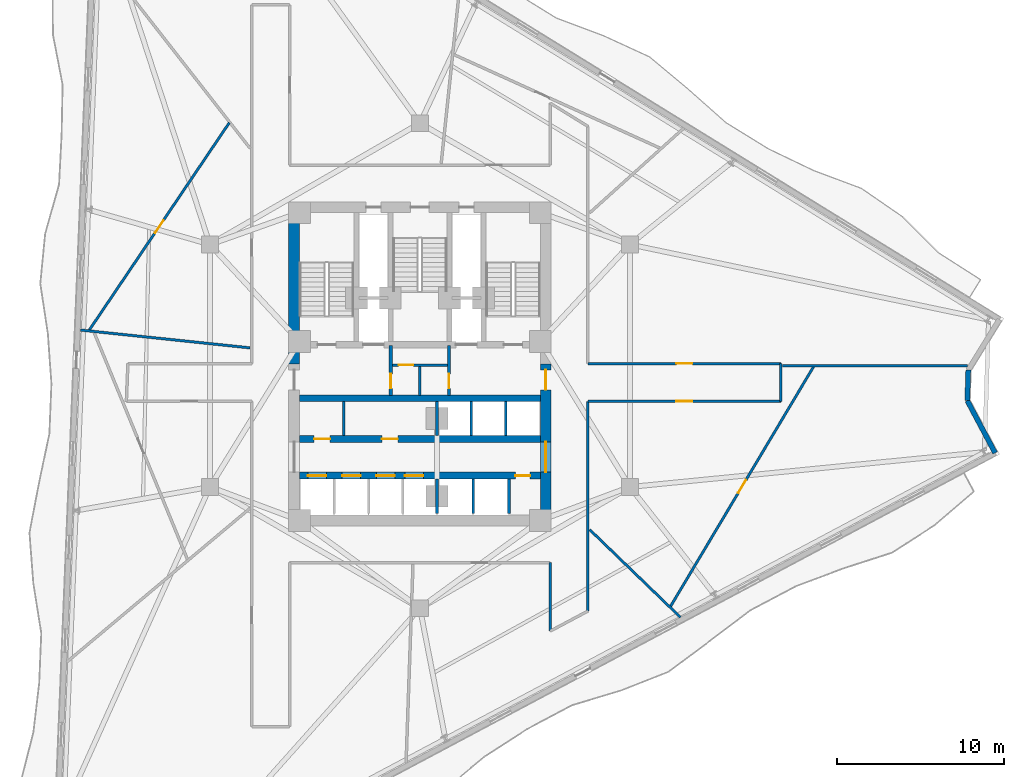
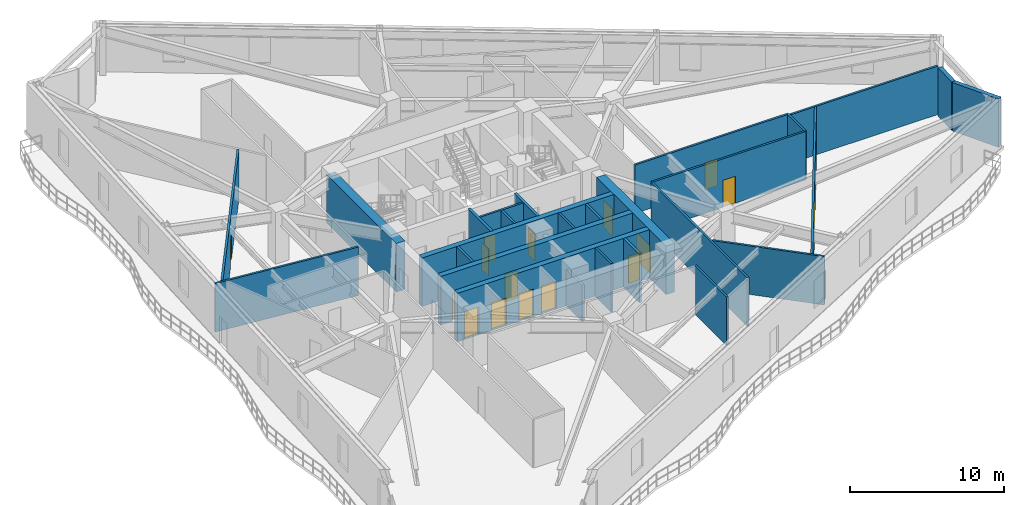
# One storey, part 6 of 12: 28 walls, 16 doors, 16 openings.
"""IFC4 building model written with IfcOpenShell, lengths in metres."""

import ifcopenshell
import ifcopenshell.guid

model = None  # the IFC model being written
_history = None  # IfcOwnerHistory: only IFC2X3 demands one
_inside = {}  # id of a spatial element -> (the spatial element, [elements in it])
_under = {}  # id of a project, library or spatial element -> (it, [spatial elements below it])
_declared = {}  # id of a project -> (the project, [libraries it declares])
_typed = {}  # id of a type object -> (the type object, [elements of that type])
_made_of = {}  # id of a material, layer set ... -> (it, [elements and type objects made of it])


def new_model(schema):
    """Start an empty IFC model of exactly this schema.

    Asked for "IFC4X3", IfcOpenShell would pick the latest addendum, in which some entities
    have other attributes; the version numbers below select the first issue.
    IFC2X3 requires an IfcOwnerHistory on every rooted entity: one is made here for all.
    """
    global model, _history
    if schema == "IFC4X3":
        model = ifcopenshell.file(schema_version=(4, 3, 0, 0))
    else:
        model = ifcopenshell.file(schema=schema)
    _inside.clear()
    _under.clear()
    _declared.clear()
    _typed.clear()
    _made_of.clear()
    _history = None
    if model.schema == "IFC2X3":
        org = make("IfcOrganization", Name="unknown")
        user = make(
            "IfcPersonAndOrganization",
            ThePerson=make("IfcPerson", FamilyName="unknown"),
            TheOrganization=org,
        )
        app = make(
            "IfcApplication",
            ApplicationDeveloper=org,
            Version="unknown",
            ApplicationFullName="unknown",
            ApplicationIdentifier="unknown",
        )
        _history = make(
            "IfcOwnerHistory",
            OwningUser=user,
            OwningApplication=app,
            ChangeAction="ADDED",
            CreationDate=0,
        )
    return model


def make(cls, **values):
    """One entity of the class cls with the attributes given. An attribute that is None is left unset."""
    return model.create_entity(
        cls, **{name: value for name, value in values.items() if value is not None}
    )


def rooted(cls, **values):
    """An entity with a GlobalId (a new one), such as an element, a storey or a relation."""
    return make(cls, GlobalId=ifcopenshell.guid.new(), OwnerHistory=_history, **values)


def si_unit(unit_type, name, prefix=None):
    """IfcSIUnit, for example si_unit("LENGTHUNIT", "METRE", prefix="MILLI")."""
    return make("IfcSIUnit", UnitType=unit_type, Prefix=prefix, Name=name)


def assignment(units):
    """IfcUnitAssignment: the units of a project."""
    return None if units is None else make("IfcUnitAssignment", Units=units)


def point(xyz):
    """IfcCartesianPoint."""
    return None if xyz is None else make("IfcCartesianPoint", Coordinates=xyz)


def direction(xyz):
    """IfcDirection."""
    return None if xyz is None else make("IfcDirection", DirectionRatios=xyz)


def frame(location, z_axis=None, x_axis=None):
    """IfcAxis2Placement3D, a coordinate frame: its origin and axes. An axis left out is left unset."""
    return make(
        "IfcAxis2Placement3D",
        Location=point(location),
        Axis=direction(z_axis),
        RefDirection=direction(x_axis),
    )


def frame_2d(location, x_axis=None):
    """IfcAxis2Placement2D, a coordinate frame in the plane: its origin and x axis."""
    return make(
        "IfcAxis2Placement2D", Location=point(location), RefDirection=direction(x_axis)
    )


def origin():
    """The frame at (0, 0, 0) with its axes left unset."""
    return frame((0.0, 0.0, 0.0))


def place(relative_to, where):
    """IfcLocalPlacement: puts the frame where relative to a parent placement (None: the world)."""
    return make(
        "IfcLocalPlacement", PlacementRelTo=relative_to, RelativePlacement=where
    )


def context(
    kind, dimensions, precision=None, world=None, true_north=None, identifier=None
):
    """IfcGeometricRepresentationContext, for example the 3D "Model" context."""
    return make(
        "IfcGeometricRepresentationContext",
        ContextIdentifier=identifier,
        ContextType=kind,
        CoordinateSpaceDimension=dimensions,
        Precision=precision,
        WorldCoordinateSystem=world,
        TrueNorth=true_north,
    )


def subcontext(parent, identifier, kind, view, scale=None):
    """IfcGeometricRepresentationSubContext, for example "Body" below "Model"."""
    return make(
        "IfcGeometricRepresentationSubContext",
        ContextIdentifier=identifier,
        ContextType=kind,
        ParentContext=parent,
        TargetScale=scale,
        TargetView=view,
    )


def project(units=None, contexts=None):
    """IfcProject with its units and contexts."""
    return rooted(
        "IfcProject",
        Name="project",
        RepresentationContexts=contexts,
        UnitsInContext=assignment(units),
    )


def spatial(cls, under=None, at=None, **own):
    """A site, building, storey or space (cls), placed at a placement, below another one or the project."""
    s = rooted(cls, ObjectPlacement=at, **own)
    if under is not None:
        _under.setdefault(under.id(), (under, []))[1].append(s)
    return s


def profile(cls, at=None, kind="AREA", **sizes):
    """A parametric profile (cls). Its sizes go by their IFC names, for example OverallWidth=200.0."""
    return make(cls, ProfileType=kind, Position=at, **sizes)


def rectangle(**sizes):
    """IfcRectangleProfileDef."""
    return profile("IfcRectangleProfileDef", **sizes)


def extrude(swept, where, along, depth):
    """IfcExtrudedAreaSolid: the profile swept, set in the frame where, extruded along a direction by depth."""
    return make(
        "IfcExtrudedAreaSolid",
        SweptArea=swept,
        Position=where,
        ExtrudedDirection=direction(along),
        Depth=depth,
    )


def shape(context_of_items, identifier, shape_type, items):
    """IfcShapeRepresentation: the items that make up one representation, for example the "Body"."""
    return make(
        "IfcShapeRepresentation",
        ContextOfItems=context_of_items,
        RepresentationIdentifier=identifier,
        RepresentationType=shape_type,
        Items=items,
    )


def material(Name=None, Category=None):
    """IfcMaterial."""
    return make("IfcMaterial", Name=Name, Category=Category)


def layer(
    of_material, thickness, ventilated=None, Name=None, Category=None, Priority=None
):
    """IfcMaterialLayer: one layer of a wall or slab, of a material (None: an air gap)."""
    return make(
        "IfcMaterialLayer",
        Material=of_material,
        LayerThickness=thickness,
        IsVentilated=ventilated,
        Name=Name,
        Category=Category,
        Priority=Priority,
    )


def layer_set(layers, Name=None):
    """IfcMaterialLayerSet."""
    return make("IfcMaterialLayerSet", MaterialLayers=layers, LayerSetName=Name)


def made_of(thing, what):
    """Note that an element or type object is made of a material, layer set ...; save() writes the relation."""
    if what is not None:
        _made_of.setdefault(what.id(), (what, []))[1].append(thing)
    return thing


def type_object(cls, material=None, **own):
    """A type object (cls), such as IfcWallType, which elements share."""
    return made_of(rooted(cls, **own), material)


def element(
    cls,
    number,
    at=None,
    inside=None,
    cuts=None,
    type_object=None,
    material=None,
    context=None,
    identifier="Body",
    shape_type=None,
    held_by="IfcProductDefinitionShape",
    body=None,
    shapes=None,
    **own,
):
    """One element of the class cls, such as IfcWall. Its Tag is "e" and its number.

    at: its placement. inside: the storey or other place that contains it. cuts: it is an
    opening in that element (IfcRelVoidsElement). A single representation is given by context,
    identifier, shape_type and body (its items); several are given by shapes. held_by: the class
    of the entity that holds the representations. save() writes the other relations.
    """
    e = rooted(cls, Tag="e%d" % number, ObjectPlacement=at, **own)
    if body is not None:
        shapes = [shape(context, identifier, shape_type, body)]
    if shapes is not None:
        e.Representation = make(held_by, Representations=shapes)
    if inside is not None:
        _inside.setdefault(inside.id(), (inside, []))[1].append(e)
    if cuts is not None:
        rooted(
            "IfcRelVoidsElement", RelatingBuildingElement=cuts, RelatedOpeningElement=e
        )
    if type_object is not None:
        _typed.setdefault(type_object.id(), (type_object, []))[1].append(e)
    return made_of(e, material)


def fill(opening, filler):
    """IfcRelFillsElement: the door or window that sits in an opening."""
    return rooted(
        "IfcRelFillsElement",
        RelatingOpeningElement=opening,
        RelatedBuildingElement=filler,
    )


def aggregate(whole, parts):
    """IfcRelAggregates: a whole, such as a stair, and the parts it consists of."""
    return rooted("IfcRelAggregates", RelatingObject=whole, RelatedObjects=parts)


def save(model, path):
    """Write the relations noted so far, then the file.

    IfcRelAggregates (storeys below a building ...), IfcRelContainedInSpatialStructure (elements
    in a storey), IfcRelDefinesByType, IfcRelAssociatesMaterial and IfcRelDeclares: one each for
    every whole, place, type object, material and project.
    """
    for whole, parts in _under.values():
        aggregate(whole, parts)
    for where, things in _inside.values():
        rooted(
            "IfcRelContainedInSpatialStructure",
            RelatedElements=things,
            RelatingStructure=where,
        )
    for kind, things in _typed.values():
        rooted("IfcRelDefinesByType", RelatedObjects=things, RelatingType=kind)
    for what, things in _made_of.values():
        rooted("IfcRelAssociatesMaterial", RelatedObjects=things, RelatingMaterial=what)
    for by, libraries in _declared.values():
        rooted("IfcRelDeclares", RelatingContext=by, RelatedDefinitions=libraries)
    model.write(path)


model = new_model("IFC4")

# Units and contexts
model_context = context("Model", 3, precision=1e-05, world=origin(), true_north=direction((0.0, 1.0)))
body_context = subcontext(model_context, "Body", "Model", "MODEL_VIEW")
ifc_project = project(units=[si_unit("LENGTHUNIT", "METRE"), si_unit("AREAUNIT", "SQUARE_METRE"), si_unit("VOLUMEUNIT", "CUBIC_METRE"), si_unit("PLANEANGLEUNIT", "RADIAN"), si_unit("MASSUNIT", "GRAM", prefix="KILO")], contexts=[model_context])

# Site, building, storey
site_placement = place(None, origin())
site = spatial("IfcSite", under=ifc_project, at=site_placement, CompositionType="ELEMENT")
building_placement = place(site_placement, origin())
building = spatial("IfcBuilding", under=site, at=building_placement, Name="Apsidion Concourse Tower", CompositionType="ELEMENT")
storey_placement = place(building_placement, frame((0.0, 0.0, 173.699951171875)))
storey = spatial("IfcBuildingStorey", under=building, at=storey_placement, Name="L40", CompositionType="ELEMENT", Elevation=173.699951171875)

# Walls
ifc_material_1 = material(Name="Precast concrete C40/50", Category="concrete")
ifc_layer_1 = layer(ifc_material_1, 0.300048828125)
ifc_layer_set_1 = layer_set([ifc_layer_1], Name="Precast concrete C40/50")
wall_type_1 = type_object("IfcWallType", Name="WL-EXT-300", PredefinedType="STANDARD", material=ifc_layer_set_1)
wall_1_placement = place(storey_placement, frame((32.794189453125, -0.25244140625, 0.0), z_axis=(0.0, 0.0, 1.0), x_axis=(-0.031873247483, -0.999491918974, 0.0)))
element("IfcWall", 1, at=wall_1_placement, inside=storey, type_object=wall_type_1, Name="L40 Precast Stone Facade Wall 03", PredefinedType="STANDARD", context=body_context, shape_type="SweptSolid", body=[
    extrude(rectangle(XDim=1.83837890625, YDim=0.300048828125, at=frame_2d((0.919189453125, 0.0))), origin(), (0.0, 0.0, 1.0), 3.85009765625),
])
wall_2_placement = place(storey_placement, frame((32.735595703125, -2.08984375, 0.0), z_axis=(0.0, 0.0, 1.0), x_axis=(0.469464339615, -0.882951433449, 0.0)))
element("IfcWall", 2, at=wall_2_placement, inside=storey, type_object=wall_type_1, Name="L40 Precast Stone Facade Wall 04", PredefinedType="STANDARD", context=body_context, shape_type="SweptSolid", body=[
    extrude(rectangle(XDim=3.54150390625, YDim=0.300048828125, at=frame_2d((1.770751953125, 0.0))), origin(), (0.0, 0.0, 1.0), 3.85009765625),
])
ifc_material_2 = material(Name="Gypsum plasterboard partition")
ifc_layer_2 = layer(ifc_material_2, 0.14990234375)
ifc_layer_set_2 = layer_set([ifc_layer_2], Name="Gypsum plasterboard partition")
wall_type_2 = type_object("IfcWallType", Name="WL-INT-PAR-150", PredefinedType="PARTITIONING", material=ifc_layer_set_2)
for number, where, z_axis, x_axis, name in (
    (3, (-4.550048828125, -4.179931640625, 0.0), (0.0, 0.0, 1.0), (0.0, 1.0, 0.0), "L40 Interior Partition WL-L40-B1RV1"),
    (4, (3.074951171875, -4.179931640625, 0.0), (0.0, 0.0, 1.0), (0.0, 1.0, 0.0), "L40 Interior Partition WL-L40-B3DIV-1"),
    (5, (5.125, -4.179931640625, 0.0), (0.0, 0.0, 1.0), (0.0, 1.0, 0.0), "L40 Interior Partition WL-L40-B3DIV-2"),
):
    element("IfcWall", number, at=place(storey_placement, frame(where, z_axis=z_axis, x_axis=x_axis)), inside=storey, type_object=wall_type_2, Name=name, PredefinedType="PARTITIONING", context=body_context, shape_type="SweptSolid", body=[
        extrude(rectangle(XDim=2.030029296875, YDim=0.14990234375, at=frame_2d((1.01513671875, 0.0))), origin(), (0.0, 0.0, 1.0), 3.85009765625),
    ])
wall_3_placement = place(storey_placement, frame((3.175048828125, -8.85009765625, 0.0), z_axis=(0.0, 0.0, 1.0), x_axis=(0.0, 1.0, 0.0)))
element("IfcWall", 6, at=wall_3_placement, inside=storey, type_object=wall_type_2, Name="L40 Interior Partition WL-L40-SHDIV-1", PredefinedType="PARTITIONING", context=body_context, shape_type="SweptSolid", body=[
    extrude(rectangle(XDim=2.080078125, YDim=0.14990234375, at=frame_2d((1.0400390625, 0.0))), origin(), (0.0, 0.0, 1.0), 3.85009765625),
])

# Wall, opening, door
wall_4_placement = place(storey_placement, frame((-1.639892578125, 0.0400390625, 0.0), z_axis=(0.0, 0.0, 1.0), x_axis=(1.0, 0.0, 0.0)))
wall_4 = element("IfcWall", 7, at=wall_4_placement, inside=storey, type_object=wall_type_2, Name="L40 Interior Partition WL-L40-K4H", PredefinedType="PARTITIONING", context=body_context, shape_type="SweptSolid", body=[
    extrude(rectangle(XDim=3.27978515625, YDim=0.14990234375, at=frame_2d((1.639892578125, 0.0))), origin(), (0.0, 0.0, 1.0), 3.85009765625),
])
opening_1_placement = place(wall_4_placement, frame((0.360107421875, 0.0, 0.0)))
opening_1 = element("IfcOpeningElement", 8, at=opening_1_placement, cuts=wall_4, Name="Opening D-03L", PredefinedType="OPENING", context=body_context, shape_type="SweptSolid", body=[
    extrude(rectangle(XDim=0.8798828125, YDim=2.10009765625, at=frame_2d((0.43994140625, 1.050048828125))), frame((0.0, 0.0849609375, 0.0), z_axis=(0.0, -1.0, 0.0), x_axis=(1.0, 0.0, 0.0)), (0.0, 0.0, 1.0), 0.169921875),
])
ifc_material_3 = material(Name="Anodised aluminium EN AW-6063 T6", Category="aluminium")
door_type_1 = type_object("IfcDoorType", Name="DR-INT-D03L", OperationType="SINGLE_SWING_LEFT", PredefinedType="DOOR", material=ifc_material_3)
door_1_placement = place(opening_1_placement, origin())
door_1 = element("IfcDoor", 9, at=door_1_placement, inside=storey, type_object=door_type_1, Name="L40 Core Telecoms Door", OperationType="SINGLE_SWING_LEFT", OverallHeight=2.10009765625, OverallWidth=0.8798828125, PredefinedType="DOOR", context=body_context, shape_type="SweptSolid", body=[
    extrude(rectangle(XDim=0.8798828125, YDim=2.10009765625, at=frame_2d((0.43994140625, 1.050048828125))), frame((0.0, 0.02490234375, 0.0), z_axis=(0.0, -1.0, 0.0), x_axis=(1.0, 0.0, 0.0)), (0.0, 0.0, 1.0), 0.050048828125),
])
fill(opening_1, door_1)

# Walls
wall_5_placement = place(storey_placement, frame((0.0, -1.780029296875, 0.0), z_axis=(0.0, 0.0, 1.0), x_axis=(0.0, 1.0, 0.0)))
element("IfcWall", 10, at=wall_5_placement, inside=storey, type_object=wall_type_2, Name="L40 Interior Partition WL-L40-K4V", PredefinedType="PARTITIONING", context=body_context, shape_type="SweptSolid", body=[
    extrude(rectangle(XDim=1.72998046875, YDim=0.14990234375, at=frame_2d((0.864990234375, 0.0))), origin(), (0.0, 0.0, 1.0), 3.85009765625),
])
wall_6_placement = place(storey_placement, frame((7.7900390625, -15.87060546875, 0.0), z_axis=(0.0, 0.0, 1.0), x_axis=(0.0, 1.0, 0.0)))
element("IfcWall", 11, at=wall_6_placement, inside=storey, type_object=wall_type_2, Name="L40 Interior Partition WL-L40-CORR-02", PredefinedType="PARTITIONING", context=body_context, shape_type="SweptSolid", body=[
    extrude(rectangle(XDim=4.095703125, YDim=0.14990234375, at=frame_2d((2.0478515625, 0.0))), origin(), (0.0, 0.0, 1.0), 3.85009765625),
])

# Wall, opening, door
wall_7_placement = place(storey_placement, frame((10.050048828125, 0.1298828125, 0.0), z_axis=(0.0, 0.0, 1.0), x_axis=(1.0, 0.0, 0.0)))
wall_7 = element("IfcWall", 12, at=wall_7_placement, inside=storey, type_object=wall_type_2, Name="L40 Interior Partition WL-L40-CORR-17", PredefinedType="PARTITIONING", context=body_context, shape_type="SweptSolid", body=[
    extrude(rectangle(XDim=11.530029296875, YDim=0.14990234375, at=frame_2d((5.76513671875, 0.0))), origin(), (0.0, 0.0, 1.0), 3.85009765625),
])
opening_2_placement = place(wall_7_placement, frame((5.2900390625, 0.0, 0.0)))
opening_2 = element("IfcOpeningElement", 13, at=opening_2_placement, cuts=wall_7, Name="Opening D-01L", PredefinedType="OPENING", context=body_context, shape_type="SweptSolid", body=[
    extrude(rectangle(XDim=0.949951171875, YDim=2.14990234375, at=frame_2d((0.47509765625, 1.074951171875))), frame((0.0, 0.0849609375, 0.0), z_axis=(0.0, -1.0, 0.0), x_axis=(1.0, 0.0, 0.0)), (0.0, 0.0, 1.0), 0.169921875),
])
ifc_material_4 = material(Name="Brushed stainless steel 316", Category="steel")
door_type_2 = type_object("IfcDoorType", Name="DR-INT-D01L", OperationType="SINGLE_SWING_LEFT", PredefinedType="DOOR", material=ifc_material_4)
door_2_placement = place(opening_2_placement, origin())
door_2 = element("IfcDoor", 14, at=door_2_placement, inside=storey, type_object=door_type_2, Name="L40 Corridor Entry Door 05", OperationType="SINGLE_SWING_LEFT", OverallHeight=2.14990234375, OverallWidth=0.949951171875, PredefinedType="DOOR", context=body_context, shape_type="SweptSolid", body=[
    extrude(rectangle(XDim=0.949951171875, YDim=2.14990234375, at=frame_2d((0.47509765625, 1.074951171875))), frame((0.0, 0.02490234375, 0.0), z_axis=(0.0, -1.0, 0.0), x_axis=(1.0, 0.0, 0.0)), (0.0, 0.0, 1.0), 0.050048828125),
])
fill(opening_2, door_2)

# Wall
wall_8_placement = place(storey_placement, frame((21.580078125, 0.1298828125, 0.0), z_axis=(0.0, 0.0, 1.0), x_axis=(0.0, -1.0, 0.0)))
element("IfcWall", 15, at=wall_8_placement, inside=storey, type_object=wall_type_2, Name="L40 Interior Partition WL-L40-CORR-18", PredefinedType="PARTITIONING", context=body_context, shape_type="SweptSolid", body=[
    extrude(rectangle(XDim=2.259765625, YDim=0.14990234375, at=frame_2d((1.1298828125, 0.0))), origin(), (0.0, 0.0, 1.0), 3.85009765625),
])

# Wall, opening, door
wall_9_placement = place(storey_placement, frame((21.580078125, -2.1298828125, 0.0), z_axis=(0.0, 0.0, 1.0), x_axis=(-1.0, 0.0, 0.0)))
wall_9 = element("IfcWall", 16, at=wall_9_placement, inside=storey, type_object=wall_type_2, Name="L40 Interior Partition WL-L40-CORR-19", PredefinedType="PARTITIONING", context=body_context, shape_type="SweptSolid", body=[
    extrude(rectangle(XDim=11.530029296875, YDim=0.14990234375, at=frame_2d((5.76513671875, 0.0))), origin(), (0.0, 0.0, 1.0), 3.85009765625),
])
opening_3_placement = place(wall_9_placement, frame((5.2900390625, 0.0, 0.0)))
opening_3 = element("IfcOpeningElement", 17, at=opening_3_placement, cuts=wall_9, Name="Opening D-01R", PredefinedType="OPENING", context=body_context, shape_type="SweptSolid", body=[
    extrude(rectangle(XDim=0.949951171875, YDim=2.14990234375, at=frame_2d((0.47509765625, 1.074951171875))), frame((0.0, 0.0849609375, 0.0), z_axis=(0.0, -1.0, 0.0), x_axis=(1.0, 0.0, 0.0)), (0.0, 0.0, 1.0), 0.169921875),
])
door_type_3 = type_object("IfcDoorType", Name="DR-INT-D01R", OperationType="SINGLE_SWING_RIGHT", PredefinedType="DOOR", material=ifc_material_4)
door_3_placement = place(opening_3_placement, origin())
door_3 = element("IfcDoor", 18, at=door_3_placement, inside=storey, type_object=door_type_3, Name="L40 Corridor Entry Door 04", OperationType="SINGLE_SWING_RIGHT", OverallHeight=2.14990234375, OverallWidth=0.949951171875, PredefinedType="DOOR", context=body_context, shape_type="SweptSolid", body=[
    extrude(rectangle(XDim=0.949951171875, YDim=2.14990234375, at=frame_2d((0.47509765625, 1.074951171875))), frame((0.0, 0.02490234375, 0.0), z_axis=(0.0, -1.0, 0.0), x_axis=(1.0, 0.0, 0.0)), (0.0, 0.0, 1.0), 0.050048828125),
])
fill(opening_3, door_3)

# Walls
wall_10_placement = place(storey_placement, frame((10.050048828125, -2.1298828125, 0.0), z_axis=(0.0, 0.0, 1.0), x_axis=(0.0, -1.0, 0.0)))
element("IfcWall", 19, at=wall_10_placement, inside=storey, type_object=wall_type_2, Name="L40 Interior Partition WL-L40-CORR-20", PredefinedType="PARTITIONING", context=body_context, shape_type="SweptSolid", body=[
    extrude(rectangle(XDim=12.5390625, YDim=0.14990234375, at=frame_2d((6.26953125, 0.0))), origin(), (0.0, 0.0, 1.0), 3.85009765625),
])
wall_11_placement = place(storey_placement, frame((21.68505859375, 0.0, 0.0), z_axis=(0.0, 0.0, 1.0), x_axis=(1.0, 0.0, 0.0)))
element("IfcWall", 20, at=wall_11_placement, inside=storey, type_object=wall_type_2, Name="L40 Interior Partition WL-L40-RAD-01-1", PredefinedType="PARTITIONING", context=body_context, shape_type="SweptSolid", body=[
    extrude(rectangle(XDim=11.071044921875, YDim=0.14990234375, at=frame_2d((5.53564453125, 0.0))), origin(), (0.0, 0.0, 1.0), 3.85009765625),
])
wall_12_placement = place(storey_placement, frame((-10.155029296875, 1.0673828125, 0.0), z_axis=(0.0, 0.0, 1.0), x_axis=(-0.994523134685, 0.104516671288, 0.0)))
element("IfcWall", 21, at=wall_12_placement, inside=storey, type_object=wall_type_2, Name="L40 Interior Partition WL-L40-RAD-05-1", PredefinedType="PARTITIONING", context=body_context, shape_type="SweptSolid", body=[
    extrude(rectangle(XDim=10.20556640625, YDim=0.14990234375, at=frame_2d((5.102783203125, 0.0))), origin(), (0.0, 0.0, 1.0), 3.85009765625),
])
wall_13_placement = place(storey_placement, frame((10.155029296875, -9.806640625, 0.0), z_axis=(0.0, 0.0, 1.0), x_axis=(0.719347844344, -0.694650040551, 0.0)))
element("IfcWall", 22, at=wall_13_placement, inside=storey, type_object=wall_type_2, Name="L40 Interior Partition WL-L40-RAD-08-1", PredefinedType="PARTITIONING", context=body_context, shape_type="SweptSolid", body=[
    extrude(rectangle(XDim=7.532470703125, YDim=0.14990234375, at=frame_2d((3.76611328125, 0.0))), origin(), (0.0, 0.0, 1.0), 3.85009765625),
])

# Wall, opening, door
wall_14_placement = place(storey_placement, frame((14.968994140625, -14.420654296875, 0.0), z_axis=(0.0, 0.0, 1.0), x_axis=(0.512416804852, 0.858736873614, 0.0)))
wall_14 = element("IfcWall", 23, at=wall_14_placement, inside=storey, type_object=wall_type_2, Name="L40 Interior Partition WL-L40-CHD-OFS03", PredefinedType="PARTITIONING", context=body_context, shape_type="SweptSolid", body=[
    extrude(rectangle(XDim=16.763916015625, YDim=0.14990234375, at=frame_2d((8.3818359375, 0.0))), origin(), (0.0, 0.0, 1.0), 3.85009765625),
])
opening_4_placement = place(wall_14_placement, frame((7.931884765625, 0.0, 0.0)))
opening_4 = element("IfcOpeningElement", 24, at=opening_4_placement, cuts=wall_14, Name="Opening D-02R", PredefinedType="OPENING", context=body_context, shape_type="SweptSolid", body=[
    extrude(rectangle(XDim=0.89990234375, YDim=2.10009765625, at=frame_2d((0.449951171875, 1.050048828125))), frame((0.0, 0.0849609375, 0.0), z_axis=(0.0, -1.0, 0.0), x_axis=(1.0, 0.0, 0.0)), (0.0, 0.0, 1.0), 0.169921875),
])
door_type_4 = type_object("IfcDoorType", Name="DR-INT-D02R", OperationType="SINGLE_SWING_RIGHT", PredefinedType="DOOR", material=ifc_material_3)
door_4_placement = place(opening_4_placement, origin())
door_4 = element("IfcDoor", 25, at=door_4_placement, inside=storey, type_object=door_type_4, Name="L40 Suite Connecting Door OFS03", OperationType="SINGLE_SWING_RIGHT", OverallHeight=2.10009765625, OverallWidth=0.89990234375, PredefinedType="DOOR", context=body_context, shape_type="SweptSolid", body=[
    extrude(rectangle(XDim=0.89990234375, YDim=2.10009765625, at=frame_2d((0.449951171875, 1.050048828125))), frame((0.0, 0.02490234375, 0.0), z_axis=(0.0, -1.0, 0.0), x_axis=(1.0, 0.0, 0.0)), (0.0, 0.0, 1.0), 0.050048828125),
])
fill(opening_4, door_4)

wall_15_placement = place(storey_placement, frame((-11.393310546875, 14.542236328125, 0.0), z_axis=(0.0, 0.0, 1.0), x_axis=(-0.559630987917, -0.828741912397, 0.0)))
wall_15 = element("IfcWall", 26, at=wall_15_placement, inside=storey, type_object=wall_type_2, Name="L40 Interior Partition WL-L40-CHD-OFS07", PredefinedType="PARTITIONING", context=body_context, shape_type="SweptSolid", body=[
    extrude(rectangle(XDim=15.007080078125, YDim=0.14990234375, at=frame_2d((7.50341796875, 0.0))), origin(), (0.0, 0.0, 1.0), 3.85009765625),
])
opening_5_placement = place(wall_15_placement, frame((7.053466796875, 0.0, 0.0)))
opening_5 = element("IfcOpeningElement", 27, at=opening_5_placement, cuts=wall_15, Name="Opening D-02R", PredefinedType="OPENING", context=body_context, shape_type="SweptSolid", body=[
    extrude(rectangle(XDim=0.89990234375, YDim=2.10009765625, at=frame_2d((0.449951171875, 1.050048828125))), frame((0.0, 0.0849609375, 0.0), z_axis=(0.0, -1.0, 0.0), x_axis=(1.0, 0.0, 0.0)), (0.0, 0.0, 1.0), 0.169921875),
])
door_5_placement = place(opening_5_placement, origin())
door_5 = element("IfcDoor", 28, at=door_5_placement, inside=storey, type_object=door_type_4, Name="L40 Suite Connecting Door OFS07", OperationType="SINGLE_SWING_RIGHT", OverallHeight=2.10009765625, OverallWidth=0.89990234375, PredefinedType="DOOR", context=body_context, shape_type="SweptSolid", body=[
    extrude(rectangle(XDim=0.89990234375, YDim=2.10009765625, at=frame_2d((0.449951171875, 1.050048828125))), frame((0.0, 0.02490234375, 0.0), z_axis=(0.0, -1.0, 0.0), x_axis=(1.0, 0.0, 0.0)), (0.0, 0.0, 1.0), 0.050048828125),
])
fill(opening_5, door_5)

# Walls
ifc_layer_3 = layer(ifc_material_2, 0.179931640625)
ifc_layer_set_3 = layer_set([ifc_layer_3], Name="Gypsum plasterboard partition")
wall_type_3 = type_object("IfcWallType", Name="WL-INT-PAR-180", PredefinedType="PARTITIONING", material=ifc_layer_set_3)
wall_16_placement = place(storey_placement, frame((1.02490234375, -4.179931640625, 0.0), z_axis=(0.0, 0.0, 1.0), x_axis=(0.0, 1.0, 0.0)))
element("IfcWall", 29, at=wall_16_placement, inside=storey, type_object=wall_type_3, Name="L40 Interior Partition WL-L40-B1END", PredefinedType="PARTITIONING", context=body_context, shape_type="SweptSolid", body=[
    extrude(rectangle(XDim=2.030029296875, YDim=0.179931640625, at=frame_2d((1.01513671875, 0.0))), origin(), (0.0, 0.0, 1.0), 2.89794921875),
])
wall_17_placement = place(storey_placement, frame((1.02490234375, -8.85009765625, 0.0), z_axis=(0.0, 0.0, 1.0), x_axis=(0.0, 1.0, 0.0)))
element("IfcWall", 30, at=wall_17_placement, inside=storey, type_object=wall_type_3, Name="L40 Interior Partition WL-L40-B2END", PredefinedType="PARTITIONING", context=body_context, shape_type="SweptSolid", body=[
    extrude(rectangle(XDim=2.080078125, YDim=0.179931640625, at=frame_2d((1.0400390625, 0.0))), origin(), (0.0, 0.0, 1.0), 2.89794921875),
])
wall_18_placement = place(storey_placement, frame((5.324951171875, -8.85009765625, 0.0), z_axis=(0.0, 0.0, 1.0), x_axis=(0.0, 1.0, 0.0)))
element("IfcWall", 31, at=wall_18_placement, inside=storey, type_object=wall_type_3, Name="L40 Interior Partition WL-L40-SHDIV-2", PredefinedType="PARTITIONING", context=body_context, shape_type="SweptSolid", body=[
    extrude(rectangle(XDim=2.080078125, YDim=0.179931640625, at=frame_2d((1.0400390625, 0.0))), origin(), (0.0, 0.0, 1.0), 3.85009765625),
])

# Wall, opening, door
ifc_layer_4 = layer(ifc_material_2, 0.199951171875)
ifc_layer_set_4 = layer_set([ifc_layer_4], Name="Gypsum plasterboard partition")
wall_type_4 = type_object("IfcWallType", Name="WL-INT-PAR-200", PredefinedType="PARTITIONING", material=ifc_layer_set_4)
wall_19_placement = place(storey_placement, frame((-1.739990234375, -1.780029296875, 0.0), z_axis=(0.0, 0.0, 1.0), x_axis=(0.0, 1.0, 0.0)))
wall_19 = element("IfcWall", 32, at=wall_19_placement, inside=storey, type_object=wall_type_4, Name="L40 Interior Partition WL-L40-FF1-E", PredefinedType="PARTITIONING", context=body_context, shape_type="SweptSolid", body=[
    extrude(rectangle(XDim=2.97998046875, YDim=0.199951171875, at=frame_2d((1.489990234375, 0.0))), origin(), (0.0, 0.0, 1.0), 3.85009765625),
])
opening_6_placement = place(wall_19_placement, frame((0.419921875, 0.0, 0.0)))
opening_6 = element("IfcOpeningElement", 33, at=opening_6_placement, cuts=wall_19, Name="Opening D-05R", PredefinedType="OPENING", context=body_context, shape_type="SweptSolid", body=[
    extrude(rectangle(XDim=0.8798828125, YDim=2.14990234375, at=frame_2d((0.43994140625, 1.074951171875))), frame((0.0, 0.10986328125, 0.0), z_axis=(0.0, -1.0, 0.0), x_axis=(1.0, 0.0, 0.0)), (0.0, 0.0, 1.0), 0.219970703125),
])
door_type_5 = type_object("IfcDoorType", Name="DR-INT-D05R", OperationType="SINGLE_SWING_RIGHT", PredefinedType="DOOR", material=ifc_material_4)
door_6_placement = place(opening_6_placement, origin())
door_6 = element("IfcDoor", 34, at=door_6_placement, inside=storey, type_object=door_type_5, Name="L40 Core Switch Room Door", OperationType="SINGLE_SWING_RIGHT", OverallHeight=2.14990234375, OverallWidth=0.8798828125, PredefinedType="DOOR", context=body_context, shape_type="SweptSolid", body=[
    extrude(rectangle(XDim=0.8798828125, YDim=2.14990234375, at=frame_2d((0.43994140625, 1.074951171875))), frame((0.0, 0.02490234375, 0.0), z_axis=(0.0, -1.0, 0.0), x_axis=(1.0, 0.0, 0.0)), (0.0, 0.0, 1.0), 0.050048828125),
])
fill(opening_6, door_6)

wall_20_placement = place(storey_placement, frame((1.739990234375, -1.780029296875, 0.0), z_axis=(0.0, 0.0, 1.0), x_axis=(0.0, 1.0, 0.0)))
wall_20 = element("IfcWall", 35, at=wall_20_placement, inside=storey, type_object=wall_type_4, Name="L40 Interior Partition WL-L40-FF2-W", PredefinedType="PARTITIONING", context=body_context, shape_type="SweptSolid", body=[
    extrude(rectangle(XDim=2.97998046875, YDim=0.199951171875, at=frame_2d((1.489990234375, 0.0))), origin(), (0.0, 0.0, 1.0), 3.85009765625),
])
opening_7_placement = place(wall_20_placement, frame((0.419921875, 0.0, 0.0)))
opening_7 = element("IfcOpeningElement", 36, at=opening_7_placement, cuts=wall_20, Name="Opening D-05L", PredefinedType="OPENING", context=body_context, shape_type="SweptSolid", body=[
    extrude(rectangle(XDim=0.8798828125, YDim=2.14990234375, at=frame_2d((0.43994140625, 1.074951171875))), frame((0.0, 0.10986328125, 0.0), z_axis=(0.0, -1.0, 0.0), x_axis=(1.0, 0.0, 0.0)), (0.0, 0.0, 1.0), 0.219970703125),
])
door_type_6 = type_object("IfcDoorType", Name="DR-INT-D05L", OperationType="SINGLE_SWING_LEFT", PredefinedType="DOOR", material=ifc_material_4)
door_7_placement = place(opening_7_placement, origin())
door_7 = element("IfcDoor", 37, at=door_7_placement, inside=storey, type_object=door_type_6, Name="L40 Core First Aid Door", OperationType="SINGLE_SWING_LEFT", OverallHeight=2.14990234375, OverallWidth=0.8798828125, PredefinedType="DOOR", context=body_context, shape_type="SweptSolid", body=[
    extrude(rectangle(XDim=0.8798828125, YDim=2.14990234375, at=frame_2d((0.43994140625, 1.074951171875))), frame((0.0, 0.02490234375, 0.0), z_axis=(0.0, -1.0, 0.0), x_axis=(1.0, 0.0, 0.0)), (0.0, 0.0, 1.0), 0.050048828125),
])
fill(opening_7, door_7)

# Wall
ifc_material_5 = material(Name="Concrete C50/60", Category="concrete")
ifc_layer_5 = layer(ifc_material_5, 0.39990234375)
ifc_layer_set_5 = layer_set([ifc_layer_5], Name="Concrete C50/60")
wall_type_5 = type_object("IfcWallType", Name="WL-SH-400", PredefinedType="SHEAR", material=ifc_layer_set_5)
wall_21_placement = place(storey_placement, frame((-7.199951171875, -1.949951171875, 0.0), z_axis=(0.0, 0.0, 1.0), x_axis=(1.0, 0.0, 0.0)))
element("IfcWall", 38, at=wall_21_placement, inside=storey, type_object=wall_type_5, Name="L40 Central Core Shear Wall M2", PredefinedType="SHEAR", context=body_context, shape_type="SweptSolid", body=[
    extrude(rectangle(XDim=14.39990234375, YDim=0.39990234375, at=frame_2d((7.199951171875, 0.0))), origin(), (0.0, 0.0, 1.0), 3.85009765625),
])

# Wall, openings, doors
wall_22_placement = place(storey_placement, frame((-7.199951171875, -4.3798828125, 0.0), z_axis=(0.0, 0.0, 1.0), x_axis=(1.0, 0.0, 0.0)))
wall_22 = element("IfcWall", 39, at=wall_22_placement, inside=storey, type_object=wall_type_5, Name="L40 Central Core Shear Wall LA", PredefinedType="SHEAR", context=body_context, shape_type="SweptSolid", body=[
    extrude(rectangle(XDim=14.39990234375, YDim=0.39990234375, at=frame_2d((7.199951171875, 0.0))), origin(), (0.0, 0.0, 1.0), 3.85009765625),
])
opening_8_placement = place(wall_22_placement, frame((0.875, 0.0, 0.0)))
opening_8 = element("IfcOpeningElement", 40, at=opening_8_placement, cuts=wall_22, Name="Opening D-04L", PredefinedType="OPENING", context=body_context, shape_type="SweptSolid", body=[
    extrude(rectangle(XDim=0.949951171875, YDim=2.14990234375, at=frame_2d((0.47509765625, 1.074951171875))), frame((0.0, 0.2099609375, 0.0), z_axis=(0.0, -1.0, 0.0), x_axis=(1.0, 0.0, 0.0)), (0.0, 0.0, 1.0), 0.419921875),
])
opening_9_placement = place(wall_22_placement, frame((4.925048828125, 0.0, 0.0)))
opening_9 = element("IfcOpeningElement", 41, at=opening_9_placement, cuts=wall_22, Name="Opening D-04R", PredefinedType="OPENING", context=body_context, shape_type="SweptSolid", body=[
    extrude(rectangle(XDim=0.949951171875, YDim=2.14990234375, at=frame_2d((0.47509765625, 1.074951171875))), frame((0.0, 0.2099609375, 0.0), z_axis=(0.0, -1.0, 0.0), x_axis=(1.0, 0.0, 0.0)), (0.0, 0.0, 1.0), 0.419921875),
])
door_type_7 = type_object("IfcDoorType", Name="DR-INT-D04L", OperationType="SINGLE_SWING_LEFT", PredefinedType="DOOR", material=ifc_material_4)
door_8_placement = place(opening_8_placement, origin())
door_8 = element("IfcDoor", 42, at=door_8_placement, inside=storey, type_object=door_type_7, Name="L40 Core Supply Store Door", OperationType="SINGLE_SWING_LEFT", OverallHeight=2.14990234375, OverallWidth=0.949951171875, PredefinedType="DOOR", context=body_context, shape_type="SweptSolid", body=[
    extrude(rectangle(XDim=0.949951171875, YDim=2.14990234375, at=frame_2d((0.47509765625, 1.074951171875))), frame((0.0, 0.02490234375, 0.0), z_axis=(0.0, -1.0, 0.0), x_axis=(1.0, 0.0, 0.0)), (0.0, 0.0, 1.0), 0.050048828125),
])
fill(opening_8, door_8)
door_type_8 = type_object("IfcDoorType", Name="DR-INT-D04R", OperationType="SINGLE_SWING_RIGHT", PredefinedType="DOOR", material=ifc_material_4)
door_9_placement = place(opening_9_placement, origin())
door_9 = element("IfcDoor", 43, at=door_9_placement, inside=storey, type_object=door_type_8, Name="L40 Core Data and Print Room Door", OperationType="SINGLE_SWING_RIGHT", OverallHeight=2.14990234375, OverallWidth=0.949951171875, PredefinedType="DOOR", context=body_context, shape_type="SweptSolid", body=[
    extrude(rectangle(XDim=0.949951171875, YDim=2.14990234375, at=frame_2d((0.47509765625, 1.074951171875))), frame((0.0, 0.02490234375, 0.0), z_axis=(0.0, -1.0, 0.0), x_axis=(1.0, 0.0, 0.0)), (0.0, 0.0, 1.0), 0.050048828125),
])
fill(opening_9, door_9)

wall_23_placement = place(storey_placement, frame((-7.199951171875, -6.570068359375, 0.0), z_axis=(0.0, 0.0, 1.0), x_axis=(1.0, 0.0, 0.0)))
wall_23 = element("IfcWall", 44, at=wall_23_placement, inside=storey, type_object=wall_type_5, Name="L40 Central Core Shear Wall LB", PredefinedType="SHEAR", context=body_context, shape_type="SweptSolid", body=[
    extrude(rectangle(XDim=14.39990234375, YDim=0.39990234375, at=frame_2d((7.199951171875, 0.0))), origin(), (0.0, 0.0, 1.0), 3.85009765625),
])
opening_10_placement = place(wall_23_placement, frame((0.5, 0.0, 0.0)))
opening_10 = element("IfcOpeningElement", 45, at=opening_10_placement, cuts=wall_23, Name="Opening LD-P1", PredefinedType="OPENING", context=body_context, shape_type="SweptSolid", body=[
    extrude(rectangle(XDim=1.10009765625, YDim=2.199951171875, at=frame_2d((0.550048828125, 1.10009765625))), frame((0.0, 0.2099609375, 0.0), z_axis=(0.0, -1.0, 0.0), x_axis=(1.0, 0.0, 0.0)), (0.0, 0.0, 1.0), 0.419921875),
])
opening_11_placement = place(wall_23_placement, frame((2.550048828125, 0.0, 0.0)))
opening_11 = element("IfcOpeningElement", 46, at=opening_11_placement, cuts=wall_23, Name="Opening LD-P1", PredefinedType="OPENING", context=body_context, shape_type="SweptSolid", body=[
    extrude(rectangle(XDim=1.10009765625, YDim=2.199951171875, at=frame_2d((0.550048828125, 1.10009765625))), frame((0.0, 0.2099609375, 0.0), z_axis=(0.0, -1.0, 0.0), x_axis=(1.0, 0.0, 0.0)), (0.0, 0.0, 1.0), 0.419921875),
])
opening_12_placement = place(wall_23_placement, frame((4.60009765625, 0.0, 0.0)))
opening_12 = element("IfcOpeningElement", 47, at=opening_12_placement, cuts=wall_23, Name="Opening LD-P1", PredefinedType="OPENING", context=body_context, shape_type="SweptSolid", body=[
    extrude(rectangle(XDim=1.10009765625, YDim=2.199951171875, at=frame_2d((0.550048828125, 1.10009765625))), frame((0.0, 0.2099609375, 0.0), z_axis=(0.0, -1.0, 0.0), x_axis=(1.0, 0.0, 0.0)), (0.0, 0.0, 1.0), 0.419921875),
])
opening_13_placement = place(wall_23_placement, frame((6.300048828125, 0.0, 0.0)))
opening_13 = element("IfcOpeningElement", 48, at=opening_13_placement, cuts=wall_23, Name="Opening LD-P1", PredefinedType="OPENING", context=body_context, shape_type="SweptSolid", body=[
    extrude(rectangle(XDim=1.10009765625, YDim=2.199951171875, at=frame_2d((0.550048828125, 1.10009765625))), frame((0.0, 0.2099609375, 0.0), z_axis=(0.0, -1.0, 0.0), x_axis=(1.0, 0.0, 0.0)), (0.0, 0.0, 1.0), 0.419921875),
])
opening_14_placement = place(wall_23_placement, frame((12.909912109375, 0.0, 0.0)))
opening_14 = element("IfcOpeningElement", 49, at=opening_14_placement, cuts=wall_23, Name="Opening D-05L", PredefinedType="OPENING", context=body_context, shape_type="SweptSolid", body=[
    extrude(rectangle(XDim=0.8798828125, YDim=2.14990234375, at=frame_2d((0.43994140625, 1.074951171875))), frame((0.0, 0.2099609375, 0.0), z_axis=(0.0, -1.0, 0.0), x_axis=(1.0, 0.0, 0.0)), (0.0, 0.0, 1.0), 0.419921875),
])
door_10_placement = place(opening_14_placement, origin())
door_10 = element("IfcDoor", 50, at=door_10_placement, inside=storey, type_object=door_type_6, Name="L40 Cleaners Store Door", OperationType="SINGLE_SWING_LEFT", OverallHeight=2.14990234375, OverallWidth=0.8798828125, PredefinedType="DOOR", context=body_context, shape_type="SweptSolid", body=[
    extrude(rectangle(XDim=0.8798828125, YDim=2.14990234375, at=frame_2d((0.43994140625, 1.074951171875))), frame((0.0, 0.02490234375, 0.0), z_axis=(0.0, -1.0, 0.0), x_axis=(1.0, 0.0, 0.0)), (0.0, 0.0, 1.0), 0.050048828125),
])
fill(opening_14, door_10)
door_type_9 = type_object("IfcDoorType", Name="DR-LD-PASS", OperationType="DOUBLE_DOOR_SLIDING", PredefinedType="DOOR", material=ifc_material_4)
door_11_placement = place(opening_10_placement, origin())
door_11 = element("IfcDoor", 51, at=door_11_placement, inside=storey, type_object=door_type_9, Name="L40 Lift Landing Door P5", OperationType="DOUBLE_DOOR_SLIDING", OverallHeight=2.199951171875, OverallWidth=1.10009765625, PredefinedType="DOOR", context=body_context, shape_type="SweptSolid", body=[
    extrude(rectangle(XDim=1.10009765625, YDim=2.199951171875, at=frame_2d((0.550048828125, 1.10009765625))), frame((0.0, 0.02490234375, 0.0), z_axis=(0.0, -1.0, 0.0), x_axis=(1.0, 0.0, 0.0)), (0.0, 0.0, 1.0), 0.050048828125),
])
fill(opening_10, door_11)
door_12_placement = place(opening_11_placement, origin())
door_12 = element("IfcDoor", 52, at=door_12_placement, inside=storey, type_object=door_type_9, Name="L40 Lift Landing Door P6", OperationType="DOUBLE_DOOR_SLIDING", OverallHeight=2.199951171875, OverallWidth=1.10009765625, PredefinedType="DOOR", context=body_context, shape_type="SweptSolid", body=[
    extrude(rectangle(XDim=1.10009765625, YDim=2.199951171875, at=frame_2d((0.550048828125, 1.10009765625))), frame((0.0, 0.02490234375, 0.0), z_axis=(0.0, -1.0, 0.0), x_axis=(1.0, 0.0, 0.0)), (0.0, 0.0, 1.0), 0.050048828125),
])
fill(opening_11, door_12)
door_13_placement = place(opening_12_placement, origin())
door_13 = element("IfcDoor", 53, at=door_13_placement, inside=storey, type_object=door_type_9, Name="L40 Lift Landing Door P7", OperationType="DOUBLE_DOOR_SLIDING", OverallHeight=2.199951171875, OverallWidth=1.10009765625, PredefinedType="DOOR", context=body_context, shape_type="SweptSolid", body=[
    extrude(rectangle(XDim=1.10009765625, YDim=2.199951171875, at=frame_2d((0.550048828125, 1.10009765625))), frame((0.0, 0.02490234375, 0.0), z_axis=(0.0, -1.0, 0.0), x_axis=(1.0, 0.0, 0.0)), (0.0, 0.0, 1.0), 0.050048828125),
])
fill(opening_12, door_13)
door_14_placement = place(opening_13_placement, origin())
door_14 = element("IfcDoor", 54, at=door_14_placement, inside=storey, type_object=door_type_9, Name="L40 Lift Landing Door P8", OperationType="DOUBLE_DOOR_SLIDING", OverallHeight=2.199951171875, OverallWidth=1.10009765625, PredefinedType="DOOR", context=body_context, shape_type="SweptSolid", body=[
    extrude(rectangle(XDim=1.10009765625, YDim=2.199951171875, at=frame_2d((0.550048828125, 1.10009765625))), frame((0.0, 0.02490234375, 0.0), z_axis=(0.0, -1.0, 0.0), x_axis=(1.0, 0.0, 0.0)), (0.0, 0.0, 1.0), 0.050048828125),
])
fill(opening_13, door_14)

# Wall
ifc_layer_6 = layer(ifc_material_5, 0.64990234375)
ifc_layer_set_6 = layer_set([ifc_layer_6], Name="Concrete C50/60")
wall_type_6 = type_object("IfcWallType", Name="WL-SH-650", PredefinedType="SHEAR", material=ifc_layer_set_6)
wall_24_placement = place(storey_placement, frame((-7.52490234375, 0.10009765625, 0.0), z_axis=(0.0, 0.0, 1.0), x_axis=(0.0, 1.0, 0.0)))
element("IfcWall", 55, at=wall_24_placement, inside=storey, type_object=wall_type_6, Name="L40 Central Core Shear Wall WN", PredefinedType="SHEAR", context=body_context, shape_type="SweptSolid", body=[
    extrude(rectangle(XDim=9.0498046875, YDim=0.64990234375, at=frame_2d((4.52490234375, 0.0))), origin(), (0.0, 0.0, 1.0), 3.85009765625),
])

# Wall, openings, doors
wall_25_placement = place(storey_placement, frame((7.52490234375, -8.925048828125, 0.0), z_axis=(0.0, 0.0, 1.0), x_axis=(0.0, 1.0, 0.0)))
wall_25 = element("IfcWall", 56, at=wall_25_placement, inside=storey, type_object=wall_type_6, Name="L40 Central Core Shear Wall ES", PredefinedType="SHEAR", context=body_context, shape_type="SweptSolid", body=[
    extrude(rectangle(XDim=9.025146484375, YDim=0.64990234375, at=frame_2d((4.5126953125, 0.0))), origin(), (0.0, 0.0, 1.0), 3.85009765625),
])
opening_15_placement = place(wall_25_placement, frame((2.56494140625, 0.0, 0.0)))
opening_15 = element("IfcOpeningElement", 57, at=opening_15_placement, cuts=wall_25, Name="Opening D-06D", PredefinedType="OPENING", context=body_context, shape_type="SweptSolid", body=[
    extrude(rectangle(XDim=1.800048828125, YDim=2.199951171875, at=frame_2d((0.89990234375, 1.10009765625))), frame((0.0, 0.3349609375, 0.0), z_axis=(0.0, -1.0, 0.0), x_axis=(1.0, 0.0, 0.0)), (0.0, 0.0, 1.0), 0.669921875),
])
opening_16_placement = place(wall_25_placement, frame((7.47509765625, 0.0, 0.0)))
opening_16 = element("IfcOpeningElement", 58, at=opening_16_placement, cuts=wall_25, Name="Opening D-FFR", PredefinedType="OPENING", context=body_context, shape_type="SweptSolid", body=[
    extrude(rectangle(XDim=1.199951171875, YDim=2.14990234375, at=frame_2d((0.60009765625, 1.074951171875))), frame((0.0, 0.3349609375, 0.0), z_axis=(0.0, -1.0, 0.0), x_axis=(1.0, 0.0, 0.0)), (0.0, 0.0, 1.0), 0.669921875),
])
door_type_10 = type_object("IfcDoorType", Name="DR-INT-D06D", OperationType="DOUBLE_DOOR_SINGLE_SWING", PredefinedType="DOOR", material=ifc_material_4)
door_15_placement = place(opening_15_placement, origin())
door_15 = element("IfcDoor", 59, at=door_15_placement, inside=storey, type_object=door_type_10, Name="L40 Passenger Lift Lobby ES Portal Door", OperationType="DOUBLE_DOOR_SINGLE_SWING", OverallHeight=2.199951171875, OverallWidth=1.800048828125, PredefinedType="DOOR", context=body_context, shape_type="SweptSolid", body=[
    extrude(rectangle(XDim=1.800048828125, YDim=2.199951171875, at=frame_2d((0.89990234375, 1.10009765625))), frame((0.0, 0.02490234375, 0.0), z_axis=(0.0, -1.0, 0.0), x_axis=(1.0, 0.0, 0.0)), (0.0, 0.0, 1.0), 0.050048828125),
])
fill(opening_15, door_15)
door_type_11 = type_object("IfcDoorType", Name="DR-INT-FFR", OperationType="SINGLE_SWING_RIGHT", PredefinedType="DOOR", material=ifc_material_4)
door_16_placement = place(opening_16_placement, origin())
door_16 = element("IfcDoor", 60, at=door_16_placement, inside=storey, type_object=door_type_11, Name="L40 Firefighting Lift Lobby FF2 Door", OperationType="SINGLE_SWING_RIGHT", OverallHeight=2.14990234375, OverallWidth=1.199951171875, PredefinedType="DOOR", context=body_context, shape_type="SweptSolid", body=[
    extrude(rectangle(XDim=1.199951171875, YDim=2.14990234375, at=frame_2d((0.60009765625, 1.074951171875))), frame((0.0, 0.02490234375, 0.0), z_axis=(0.0, -1.0, 0.0), x_axis=(1.0, 0.0, 0.0)), (0.0, 0.0, 1.0), 0.050048828125),
])
fill(opening_16, door_16)

save(model, "model.ifc")
